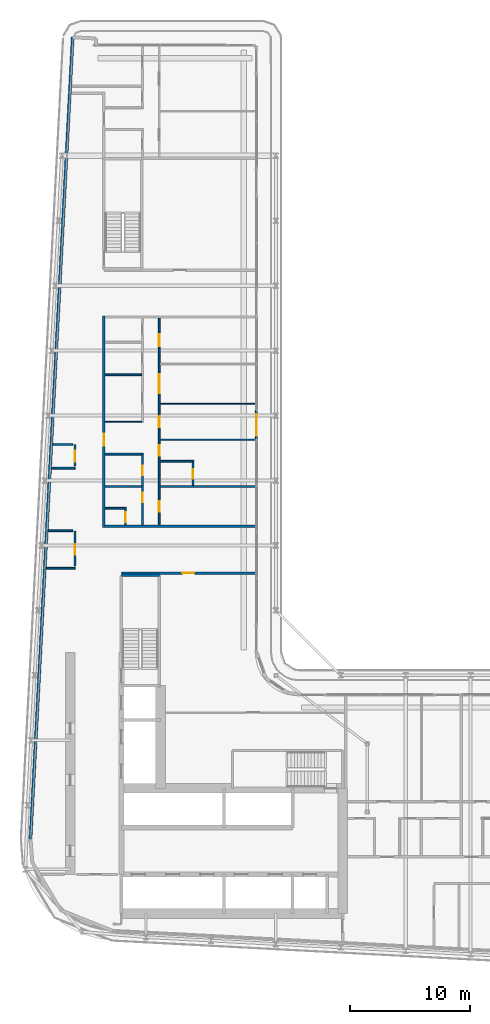
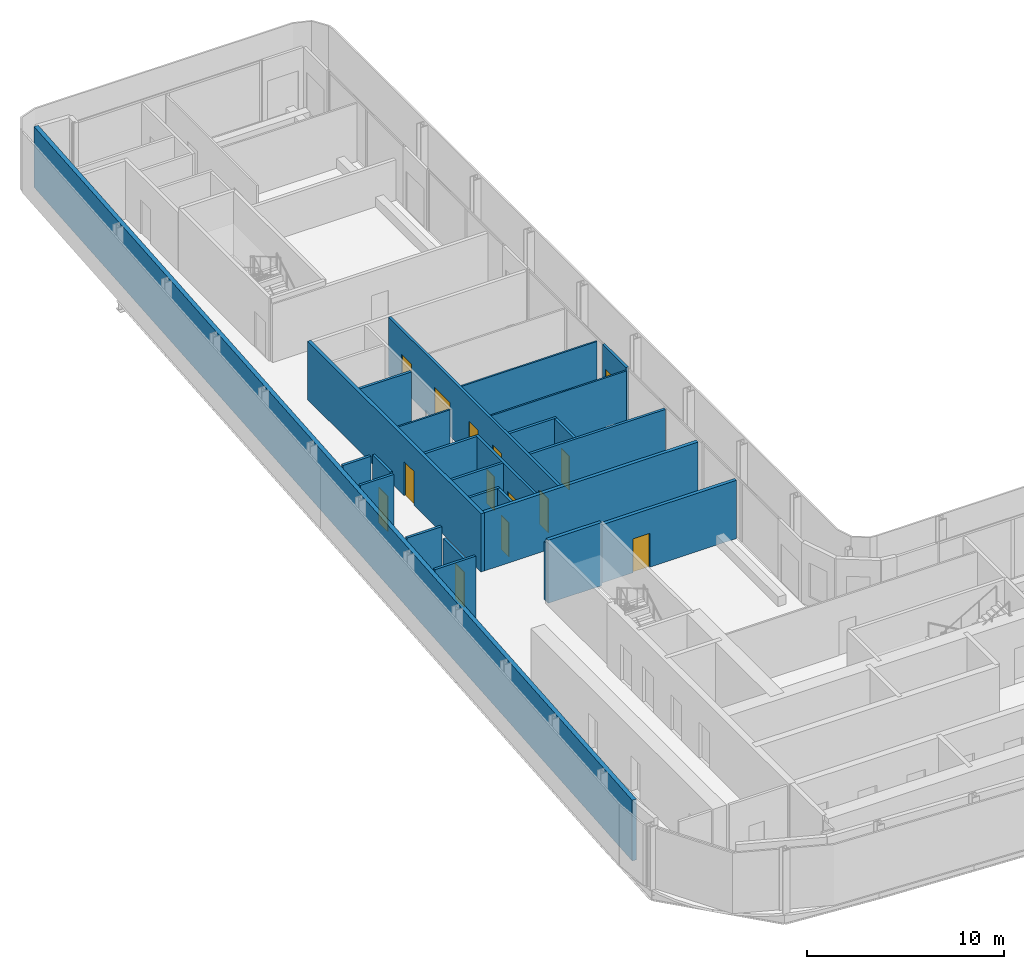
# One storey, part 18 of 29: 25 walls, 14 doors, 14 openings.
"""IFC4 building model written with IfcOpenShell, lengths in metres."""

import ifcopenshell
import ifcopenshell.guid

model = None  # the IFC model being written
_history = None  # IfcOwnerHistory: only IFC2X3 demands one
_inside = {}  # id of a spatial element -> (the spatial element, [elements in it])
_under = {}  # id of a project, library or spatial element -> (it, [spatial elements below it])
_declared = {}  # id of a project -> (the project, [libraries it declares])
_typed = {}  # id of a type object -> (the type object, [elements of that type])
_made_of = {}  # id of a material, layer set ... -> (it, [elements and type objects made of it])


def new_model(schema):
    """Start an empty IFC model of exactly this schema.

    Asked for "IFC4X3", IfcOpenShell would pick the latest addendum, in which some entities
    have other attributes; the version numbers below select the first issue.
    IFC2X3 requires an IfcOwnerHistory on every rooted entity: one is made here for all.
    """
    global model, _history
    if schema == "IFC4X3":
        model = ifcopenshell.file(schema_version=(4, 3, 0, 0))
    else:
        model = ifcopenshell.file(schema=schema)
    _inside.clear()
    _under.clear()
    _declared.clear()
    _typed.clear()
    _made_of.clear()
    _history = None
    if model.schema == "IFC2X3":
        org = make("IfcOrganization", Name="unknown")
        user = make(
            "IfcPersonAndOrganization",
            ThePerson=make("IfcPerson", FamilyName="unknown"),
            TheOrganization=org,
        )
        app = make(
            "IfcApplication",
            ApplicationDeveloper=org,
            Version="unknown",
            ApplicationFullName="unknown",
            ApplicationIdentifier="unknown",
        )
        _history = make(
            "IfcOwnerHistory",
            OwningUser=user,
            OwningApplication=app,
            ChangeAction="ADDED",
            CreationDate=0,
        )
    return model


def make(cls, **values):
    """One entity of the class cls with the attributes given. An attribute that is None is left unset."""
    return model.create_entity(
        cls, **{name: value for name, value in values.items() if value is not None}
    )


def rooted(cls, **values):
    """An entity with a GlobalId (a new one), such as an element, a storey or a relation."""
    return make(cls, GlobalId=ifcopenshell.guid.new(), OwnerHistory=_history, **values)


def si_unit(unit_type, name, prefix=None):
    """IfcSIUnit, for example si_unit("LENGTHUNIT", "METRE", prefix="MILLI")."""
    return make("IfcSIUnit", UnitType=unit_type, Prefix=prefix, Name=name)


def assignment(units):
    """IfcUnitAssignment: the units of a project."""
    return None if units is None else make("IfcUnitAssignment", Units=units)


def point(xyz):
    """IfcCartesianPoint."""
    return None if xyz is None else make("IfcCartesianPoint", Coordinates=xyz)


def direction(xyz):
    """IfcDirection."""
    return None if xyz is None else make("IfcDirection", DirectionRatios=xyz)


def frame(location, z_axis=None, x_axis=None):
    """IfcAxis2Placement3D, a coordinate frame: its origin and axes. An axis left out is left unset."""
    return make(
        "IfcAxis2Placement3D",
        Location=point(location),
        Axis=direction(z_axis),
        RefDirection=direction(x_axis),
    )


def frame_2d(location, x_axis=None):
    """IfcAxis2Placement2D, a coordinate frame in the plane: its origin and x axis."""
    return make(
        "IfcAxis2Placement2D", Location=point(location), RefDirection=direction(x_axis)
    )


def origin():
    """The frame at (0, 0, 0) with its axes left unset."""
    return frame((0.0, 0.0, 0.0))


def place(relative_to, where):
    """IfcLocalPlacement: puts the frame where relative to a parent placement (None: the world)."""
    return make(
        "IfcLocalPlacement", PlacementRelTo=relative_to, RelativePlacement=where
    )


def context(
    kind, dimensions, precision=None, world=None, true_north=None, identifier=None
):
    """IfcGeometricRepresentationContext, for example the 3D "Model" context."""
    return make(
        "IfcGeometricRepresentationContext",
        ContextIdentifier=identifier,
        ContextType=kind,
        CoordinateSpaceDimension=dimensions,
        Precision=precision,
        WorldCoordinateSystem=world,
        TrueNorth=true_north,
    )


def subcontext(parent, identifier, kind, view, scale=None):
    """IfcGeometricRepresentationSubContext, for example "Body" below "Model"."""
    return make(
        "IfcGeometricRepresentationSubContext",
        ContextIdentifier=identifier,
        ContextType=kind,
        ParentContext=parent,
        TargetScale=scale,
        TargetView=view,
    )


def project(units=None, contexts=None):
    """IfcProject with its units and contexts."""
    return rooted(
        "IfcProject",
        Name="project",
        RepresentationContexts=contexts,
        UnitsInContext=assignment(units),
    )


def spatial(cls, under=None, at=None, **own):
    """A site, building, storey or space (cls), placed at a placement, below another one or the project."""
    s = rooted(cls, ObjectPlacement=at, **own)
    if under is not None:
        _under.setdefault(under.id(), (under, []))[1].append(s)
    return s


def profile(cls, at=None, kind="AREA", **sizes):
    """A parametric profile (cls). Its sizes go by their IFC names, for example OverallWidth=200.0."""
    return make(cls, ProfileType=kind, Position=at, **sizes)


def rectangle(**sizes):
    """IfcRectangleProfileDef."""
    return profile("IfcRectangleProfileDef", **sizes)


def extrude(swept, where, along, depth):
    """IfcExtrudedAreaSolid: the profile swept, set in the frame where, extruded along a direction by depth."""
    return make(
        "IfcExtrudedAreaSolid",
        SweptArea=swept,
        Position=where,
        ExtrudedDirection=direction(along),
        Depth=depth,
    )


def shape(context_of_items, identifier, shape_type, items):
    """IfcShapeRepresentation: the items that make up one representation, for example the "Body"."""
    return make(
        "IfcShapeRepresentation",
        ContextOfItems=context_of_items,
        RepresentationIdentifier=identifier,
        RepresentationType=shape_type,
        Items=items,
    )


def source(mapping_origin, context_of_items, identifier, shape_type, items):
    """IfcRepresentationMap: a shape defined once, which mapped items show again and again."""
    return make(
        "IfcRepresentationMap",
        MappingOrigin=mapping_origin,
        MappedRepresentation=shape(context_of_items, identifier, shape_type, items),
    )


def transform(
    local_origin,
    x_axis=None,
    y_axis=None,
    z_axis=None,
    scale=None,
    scale2=None,
    scale3=None,
    uniform=True,
):
    """IfcCartesianTransformationOperator3D, or its non-uniform kind. x_axis, y_axis, z_axis: its Axis1, 2, 3."""
    if uniform:
        return make(
            "IfcCartesianTransformationOperator3D",
            Axis1=direction(x_axis),
            Axis2=direction(y_axis),
            LocalOrigin=point(local_origin),
            Scale=scale,
            Axis3=direction(z_axis),
        )
    return make(
        "IfcCartesianTransformationOperator3DnonUniform",
        Axis1=direction(x_axis),
        Axis2=direction(y_axis),
        LocalOrigin=point(local_origin),
        Scale=scale,
        Axis3=direction(z_axis),
        Scale2=scale2,
        Scale3=scale3,
    )


def mapped(mapping_source, mapping_target):
    """IfcMappedItem: shows the shape of a source again, moved by a transform."""
    return make(
        "IfcMappedItem", MappingSource=mapping_source, MappingTarget=mapping_target
    )


def material(Name=None, Category=None):
    """IfcMaterial."""
    return make("IfcMaterial", Name=Name, Category=Category)


def layer(
    of_material, thickness, ventilated=None, Name=None, Category=None, Priority=None
):
    """IfcMaterialLayer: one layer of a wall or slab, of a material (None: an air gap)."""
    return make(
        "IfcMaterialLayer",
        Material=of_material,
        LayerThickness=thickness,
        IsVentilated=ventilated,
        Name=Name,
        Category=Category,
        Priority=Priority,
    )


def layer_set(layers, Name=None):
    """IfcMaterialLayerSet."""
    return make("IfcMaterialLayerSet", MaterialLayers=layers, LayerSetName=Name)


def made_of(thing, what):
    """Note that an element or type object is made of a material, layer set ...; save() writes the relation."""
    if what is not None:
        _made_of.setdefault(what.id(), (what, []))[1].append(thing)
    return thing


def type_object(cls, material=None, **own):
    """A type object (cls), such as IfcWallType, which elements share."""
    return made_of(rooted(cls, **own), material)


def element(
    cls,
    number,
    at=None,
    inside=None,
    cuts=None,
    type_object=None,
    material=None,
    context=None,
    identifier="Body",
    shape_type=None,
    held_by="IfcProductDefinitionShape",
    body=None,
    shapes=None,
    **own,
):
    """One element of the class cls, such as IfcWall. Its Tag is "e" and its number.

    at: its placement. inside: the storey or other place that contains it. cuts: it is an
    opening in that element (IfcRelVoidsElement). A single representation is given by context,
    identifier, shape_type and body (its items); several are given by shapes. held_by: the class
    of the entity that holds the representations. save() writes the other relations.
    """
    e = rooted(cls, Tag="e%d" % number, ObjectPlacement=at, **own)
    if body is not None:
        shapes = [shape(context, identifier, shape_type, body)]
    if shapes is not None:
        e.Representation = make(held_by, Representations=shapes)
    if inside is not None:
        _inside.setdefault(inside.id(), (inside, []))[1].append(e)
    if cuts is not None:
        rooted(
            "IfcRelVoidsElement", RelatingBuildingElement=cuts, RelatedOpeningElement=e
        )
    if type_object is not None:
        _typed.setdefault(type_object.id(), (type_object, []))[1].append(e)
    return made_of(e, material)


def fill(opening, filler):
    """IfcRelFillsElement: the door or window that sits in an opening."""
    return rooted(
        "IfcRelFillsElement",
        RelatingOpeningElement=opening,
        RelatedBuildingElement=filler,
    )


def aggregate(whole, parts):
    """IfcRelAggregates: a whole, such as a stair, and the parts it consists of."""
    return rooted("IfcRelAggregates", RelatingObject=whole, RelatedObjects=parts)


def save(model, path):
    """Write the relations noted so far, then the file.

    IfcRelAggregates (storeys below a building ...), IfcRelContainedInSpatialStructure (elements
    in a storey), IfcRelDefinesByType, IfcRelAssociatesMaterial and IfcRelDeclares: one each for
    every whole, place, type object, material and project.
    """
    for whole, parts in _under.values():
        aggregate(whole, parts)
    for where, things in _inside.values():
        rooted(
            "IfcRelContainedInSpatialStructure",
            RelatedElements=things,
            RelatingStructure=where,
        )
    for kind, things in _typed.values():
        rooted("IfcRelDefinesByType", RelatedObjects=things, RelatingType=kind)
    for what, things in _made_of.values():
        rooted("IfcRelAssociatesMaterial", RelatedObjects=things, RelatingMaterial=what)
    for by, libraries in _declared.values():
        rooted("IfcRelDeclares", RelatingContext=by, RelatedDefinitions=libraries)
    model.write(path)


model = new_model("IFC4")

# Units and contexts
model_context = context("Model", 3, precision=1e-05, world=origin(), true_north=direction((0.0, 1.0)))
body_context = subcontext(model_context, "Body", "Model", "MODEL_VIEW")
ifc_project = project(units=[si_unit("LENGTHUNIT", "METRE"), si_unit("AREAUNIT", "SQUARE_METRE"), si_unit("VOLUMEUNIT", "CUBIC_METRE"), si_unit("PLANEANGLEUNIT", "RADIAN"), si_unit("MASSUNIT", "GRAM", prefix="KILO")], contexts=[model_context])

# Site, building, storey
site_placement = place(None, origin())
site = spatial("IfcSite", under=ifc_project, at=site_placement, CompositionType="ELEMENT")
building_placement = place(site_placement, origin())
building = spatial("IfcBuilding", under=site, at=building_placement, Name="Kheshtan School and Residences Tower", CompositionType="ELEMENT")
storey_placement = place(building_placement, frame((0.0, 0.0, 172.10009765625)))
storey = spatial("IfcBuildingStorey", under=building, at=storey_placement, Name="L40", CompositionType="ELEMENT", Elevation=172.10009765625)

# Wall, opening, door
ifc_material_1 = material(Name="Gypsum board on steel studs with fire boards", Category="steel")
ifc_layer_1 = layer(ifc_material_1, 0.199951171875)
ifc_layer_set_1 = layer_set([ifc_layer_1], Name="Corridor wall 200")
wall_type_1 = type_object("IfcWallType", Name="Corridor wall 200", PredefinedType="PARTITIONING", material=ifc_layer_set_1)
wall_1_placement = place(storey_placement, frame((33.300048828125, 57.89990234375, 0.0), z_axis=(0.0, 0.0, 1.0), x_axis=(0.0, 1.0, 0.0)))
wall_1 = element("IfcWall", 1, at=wall_1_placement, inside=storey, type_object=wall_type_1, Name="Partition L40-003", PredefinedType="PARTITIONING", context=body_context, shape_type="SweptSolid", body=[
    extrude(rectangle(XDim=17.60009765625, YDim=0.199951171875, at=frame_2d((8.800048828125, 0.0))), origin(), (0.0, 0.0, 1.0), 3.599853515625),
])
opening_1_placement = place(wall_1_placement, frame((6.800048828125, 0.0, 0.0)))
opening_1 = element("IfcOpeningElement", 2, at=opening_1_placement, cuts=wall_1, Name="Opening D39-035", PredefinedType="OPENING", context=body_context, shape_type="SweptSolid", body=[
    extrude(rectangle(XDim=1.0, YDim=2.10009765625, at=frame_2d((0.5, 1.050048828125))), frame((0.0, 0.10986328125, 0.0), z_axis=(0.0, -1.0, 0.0), x_axis=(1.0, 0.0, 0.0)), (0.0, 0.0, 1.0), 0.219970703125),
])
ifc_material_2 = material(Name="Steel-framed fire-resisting door leaf", Category="steel")
door_type_1 = type_object("IfcDoorType", Name="Fire door FD30S 1000 x 2100", OperationType="SINGLE_SWING_LEFT", PredefinedType="DOOR", material=ifc_material_2)
shared_shape_1 = source(origin(), body_context, "Body", "SweptSolid", [
    extrude(rectangle(XDim=1.0, YDim=2.10009765625, at=frame_2d((0.5, 1.050048828125))), frame((0.0, 0.02490234375, 0.0), z_axis=(0.0, -1.0, 0.0), x_axis=(1.0, 0.0, 0.0)), (0.0, 0.0, 1.0), 0.050048828125),
])
door_1_placement = place(opening_1_placement, origin())
door_1 = element("IfcDoor", 3, at=door_1_placement, inside=storey, type_object=door_type_1, Name="Door D39-035", OperationType="SINGLE_SWING_RIGHT", OverallHeight=2.10009765625, OverallWidth=1.0, PredefinedType="DOOR", context=body_context, shape_type="MappedRepresentation", body=[
    mapped(shared_shape_1, transform((0.0, 0.0, 0.0), x_axis=(1.0, 0.0, 0.0), y_axis=(0.0, 1.0, 0.0), z_axis=(0.0, 0.0, 1.0), scale=1.0)),
])
fill(opening_1, door_1)

# Wall
wall_2_placement = place(storey_placement, frame((33.39990234375, 58.0, 0.0), z_axis=(0.0, 0.0, 1.0), x_axis=(1.0, 0.0, 0.0)))
element("IfcWall", 4, at=wall_2_placement, inside=storey, type_object=wall_type_1, Name="Partition L40-006", PredefinedType="PARTITIONING", context=body_context, shape_type="SweptSolid", body=[
    extrude(rectangle(XDim=12.5, YDim=0.199951171875, at=frame_2d((6.25, 0.0))), origin(), (0.0, 0.0, 1.0), 3.599853515625),
])

# Wall, opening, door
wall_3_placement = place(storey_placement, frame((34.75, 54.10009765625, 0.0), z_axis=(0.0, 0.0, 1.0), x_axis=(1.0, 0.0, 0.0)))
wall_3 = element("IfcWall", 5, at=wall_3_placement, inside=storey, type_object=wall_type_1, Name="Partition L40-018", PredefinedType="PARTITIONING", context=body_context, shape_type="SweptSolid", body=[
    extrude(rectangle(XDim=11.14990234375, YDim=0.199951171875, at=frame_2d((5.574951171875, 0.0))), origin(), (0.0, 0.0, 1.0), 3.599853515625),
])
opening_2_placement = place(wall_3_placement, frame((5.074951171875, 0.0, 0.0)))
opening_2 = element("IfcOpeningElement", 6, at=opening_2_placement, cuts=wall_3, Name="Opening D39-051", PredefinedType="OPENING", context=body_context, shape_type="SweptSolid", body=[
    extrude(rectangle(XDim=1.0, YDim=2.10009765625, at=frame_2d((0.5, 1.050048828125))), frame((0.0, 0.10986328125, 0.0), z_axis=(0.0, -1.0, 0.0), x_axis=(1.0, 0.0, 0.0)), (0.0, 0.0, 1.0), 0.219970703125),
])
door_type_2 = type_object("IfcDoorType", Name="Fire door FD60 1000 x 2100", OperationType="SINGLE_SWING_LEFT", PredefinedType="DOOR", material=ifc_material_2)
shared_shape_2 = source(origin(), body_context, "Body", "SweptSolid", [
    extrude(rectangle(XDim=1.0, YDim=2.10009765625, at=frame_2d((0.5, 1.050048828125))), frame((0.0, 0.02490234375, 0.0), z_axis=(0.0, -1.0, 0.0), x_axis=(1.0, 0.0, 0.0)), (0.0, 0.0, 1.0), 0.050048828125),
])
door_2_placement = place(opening_2_placement, origin())
door_2 = element("IfcDoor", 7, at=door_2_placement, inside=storey, type_object=door_type_2, Name="Door D39-051", OperationType="SINGLE_SWING_RIGHT", OverallHeight=2.10009765625, OverallWidth=1.0, PredefinedType="DOOR", context=body_context, shape_type="MappedRepresentation", body=[
    mapped(shared_shape_2, transform((0.0, 0.0, 0.0), x_axis=(1.0, 0.0, 0.0), y_axis=(0.0, 1.0, 0.0), z_axis=(0.0, 0.0, 1.0), scale=1.0)),
])
fill(opening_2, door_2)

# Wall
ifc_material_3 = material(Name="Concrete C40/50 with ceramic cladding and mineral wool insulation", Category="concrete")
ifc_layer_2 = layer(ifc_material_3, 0.25)
ifc_layer_set_2 = layer_set([ifc_layer_2], Name="External wall 250 ceramic clad")
wall_type_2 = type_object("IfcWallType", Name="External wall 250 ceramic clad", PredefinedType="SOLIDWALL", material=ifc_layer_set_2)
wall_4_placement = place(storey_placement, frame((27.195068359375, 31.968994140625, 0.0), z_axis=(0.0, 0.0, 1.0), x_axis=(0.052554995867, 0.998618031286, 0.0)))
element("IfcWall", 8, at=wall_4_placement, inside=storey, type_object=wall_type_2, Name="External wall L40 4", PredefinedType="SOLIDWALL", context=body_context, shape_type="SweptSolid", body=[
    extrude(rectangle(XDim=66.787353515625, YDim=0.25, at=frame_2d((33.3935546875, 0.0))), origin(), (0.0, 0.0, 1.0), 3.75),
])

# Wall, opening, door
ifc_material_4 = material(Name="Aluminium frame wall with insulated infill", Category="aluminium")
ifc_layer_3 = layer(ifc_material_4, 0.14990234375)
ifc_layer_set_3 = layer_set([ifc_layer_3], Name="Glazing frame wall 150")
wall_type_3 = type_object("IfcWallType", Name="Glazing frame wall 150", PredefinedType="SOLIDWALL", material=ifc_layer_set_3)
wall_5_placement = place(storey_placement, frame((45.97509765625, 67.617919921875, 0.0), z_axis=(0.0, 0.0, 1.0), x_axis=(0.0, -1.0, 0.0)))
wall_5 = element("IfcWall", 9, at=wall_5_placement, inside=storey, type_object=wall_type_3, Name="Balcony door wall L40 8.4", PredefinedType="SOLIDWALL", context=body_context, shape_type="SweptSolid", body=[
    extrude(rectangle(XDim=2.39990234375, YDim=0.14990234375, at=frame_2d((1.199951171875, 0.0))), origin(), (0.0, 0.0, 1.0), 3.75),
])
opening_3_placement = place(wall_5_placement, frame((0.300048828125, 0.0, 0.0)))
opening_3 = element("IfcOpeningElement", 10, at=opening_3_placement, cuts=wall_5, Name="Opening BD", PredefinedType="OPENING", context=body_context, shape_type="SweptSolid", body=[
    extrude(rectangle(XDim=1.800048828125, YDim=2.39990234375, at=frame_2d((0.89990234375, 1.199951171875))), frame((0.0, 0.0849609375, 0.0), z_axis=(0.0, -1.0, 0.0), x_axis=(1.0, 0.0, 0.0)), (0.0, 0.0, 1.0), 0.169921875),
])
ifc_material_5 = material(Name="Clear low-e glass in thermally broken aluminium frame", Category="aluminium")
door_type_3 = type_object("IfcDoorType", Name="Balcony sliding door", OperationType="SLIDING_TO_LEFT", PredefinedType="DOOR", material=ifc_material_5)
shared_shape_3 = source(origin(), body_context, "Body", "SweptSolid", [
    extrude(rectangle(XDim=1.800048828125, YDim=2.39990234375, at=frame_2d((0.89990234375, 1.199951171875))), frame((0.0, 0.02490234375, 0.0), z_axis=(0.0, -1.0, 0.0), x_axis=(1.0, 0.0, 0.0)), (0.0, 0.0, 1.0), 0.050048828125),
])
door_3_placement = place(opening_3_placement, origin())
door_3 = element("IfcDoor", 11, at=door_3_placement, inside=storey, type_object=door_type_3, Name="Balcony door L40 8.4", OperationType="SLIDING_TO_LEFT", OverallHeight=2.39990234375, OverallWidth=1.800048828125, PredefinedType="DOOR", context=body_context, shape_type="MappedRepresentation", body=[
    mapped(shared_shape_3, transform((0.0, 0.0, 0.0), x_axis=(1.0, 0.0, 0.0), y_axis=(0.0, 1.0, 0.0), z_axis=(0.0, 0.0, 1.0), scale=1.0)),
])
fill(opening_3, door_3)

# Walls
ifc_material_6 = material(Name="Gypsum board on steel studs", Category="steel")
ifc_layer_4 = layer(ifc_material_6, 0.10009765625)
ifc_layer_set_4 = layer_set([ifc_layer_4], Name="Gypsum partition 100")
wall_type_4 = type_object("IfcWallType", Name="Gypsum partition 100", PredefinedType="PARTITIONING", material=ifc_layer_set_4)
wall_6_placement = place(storey_placement, frame((33.39990234375, 66.699951171875, 0.0), z_axis=(0.0, 0.0, 1.0), x_axis=(1.0, 0.0, 0.0)))
element("IfcWall", 12, at=wall_6_placement, inside=storey, type_object=wall_type_4, Name="Partition L40-010", PredefinedType="PARTITIONING", context=body_context, shape_type="SweptSolid", body=[
    extrude(rectangle(XDim=3.025146484375, YDim=0.10009765625, at=frame_2d((1.5126953125, 0.0))), origin(), (0.0, 0.0, 1.0), 3.599853515625),
])
for number, where, z_axis, x_axis, name in (
    (13, (37.97509765625, 65.199951171875, 0.0), (0.0, 0.0, 1.0), (1.0, 0.0, 0.0), "Partition L40-030"),
    (14, (37.97509765625, 68.199951171875, 0.0), (0.0, 0.0, 1.0), (1.0, 0.0, 0.0), "Partition L40-031"),
):
    element("IfcWall", number, at=place(storey_placement, frame(where, z_axis=z_axis, x_axis=x_axis)), inside=storey, type_object=wall_type_4, Name=name, PredefinedType="PARTITIONING", context=body_context, shape_type="SweptSolid", body=[
        extrude(rectangle(XDim=7.9248046875, YDim=0.10009765625, at=frame_2d((3.96240234375, 0.0))), origin(), (0.0, 0.0, 1.0), 3.599853515625),
    ])
ifc_material_7 = material(Name="Fire-board shaft wall system")
ifc_layer_5 = layer(ifc_material_7, 0.14990234375)
ifc_layer_set_5 = layer_set([ifc_layer_5], Name="Service room wall 150")
wall_type_5 = type_object("IfcWallType", Name="Service room wall 150", PredefinedType="PARTITIONING", material=ifc_layer_set_5)
wall_7_placement = place(storey_placement, frame((28.508056640625, 54.5, 0.0), z_axis=(0.0, 0.0, 1.0), x_axis=(1.0, 0.0, 0.0)))
element("IfcWall", 15, at=wall_7_placement, inside=storey, type_object=wall_type_5, Name="Service room wall", PredefinedType="PARTITIONING", context=body_context, shape_type="SweptSolid", body=[
    extrude(rectangle(XDim=2.391845703125, YDim=0.14990234375, at=frame_2d((1.19580078125, 0.0))), origin(), (0.0, 0.0, 1.0), 3.89990234375),
])

# Wall, opening, door
wall_8_placement = place(storey_placement, frame((30.89990234375, 54.695068359375, 0.0), z_axis=(0.0, 0.0, 1.0), x_axis=(0.0, 1.0, 0.0)))
wall_8 = element("IfcWall", 16, at=wall_8_placement, inside=storey, type_object=wall_type_5, Name="Service room wall", PredefinedType="PARTITIONING", context=body_context, shape_type="SweptSolid", body=[
    extrude(rectangle(XDim=2.930908203125, YDim=0.14990234375, at=frame_2d((1.46533203125, 0.0))), origin(), (0.0, 0.0, 1.0), 3.072021484375),
])
opening_4_placement = place(wall_8_placement, frame((0.91796875, 0.0, 0.0)))
opening_4 = element("IfcOpeningElement", 17, at=opening_4_placement, cuts=wall_8, Name="Opening SR90", PredefinedType="OPENING", context=body_context, shape_type="SweptSolid", body=[
    extrude(rectangle(XDim=0.89990234375, YDim=2.199951171875, at=frame_2d((0.449951171875, 1.10009765625))), frame((0.0, 0.0849609375, 0.0), z_axis=(0.0, -1.0, 0.0), x_axis=(1.0, 0.0, 0.0)), (0.0, 0.0, 1.0), 0.169921875),
])
ifc_material_8 = material(Name="Steel door leaf, galvanised", Category="steel")
door_type_4 = type_object("IfcDoorType", Name="Service room door 900 steel 90 min", OperationType="SINGLE_SWING_LEFT", PredefinedType="DOOR", material=ifc_material_8)
shared_shape_4 = source(origin(), body_context, "Body", "SweptSolid", [
    extrude(rectangle(XDim=0.89990234375, YDim=2.199951171875, at=frame_2d((0.449951171875, 1.10009765625))), frame((0.0, 0.02490234375, 0.0), z_axis=(0.0, -1.0, 0.0), x_axis=(1.0, 0.0, 0.0)), (0.0, 0.0, 1.0), 0.050048828125),
])
door_4_placement = place(opening_4_placement, origin())
door_4 = element("IfcDoor", 18, at=door_4_placement, inside=storey, type_object=door_type_4, Name="Service room door", OperationType="SINGLE_SWING_LEFT", OverallHeight=2.199951171875, OverallWidth=0.89990234375, PredefinedType="DOOR", context=body_context, shape_type="MappedRepresentation", body=[
    mapped(shared_shape_4, transform((0.0, 0.0, 0.0), x_axis=(1.0, 0.0, 0.0), y_axis=(0.0, 1.0, 0.0), z_axis=(0.0, 0.0, 1.0), scale=1.0)),
])
fill(opening_4, door_4)

# Walls
wall_9_placement = place(storey_placement, frame((28.673095703125, 57.6259765625, 0.0), z_axis=(0.0, 0.0, 1.0), x_axis=(1.0, 0.0, 0.0)))
element("IfcWall", 19, at=wall_9_placement, inside=storey, type_object=wall_type_5, Name="Service room wall", PredefinedType="PARTITIONING", context=body_context, shape_type="SweptSolid", body=[
    extrude(rectangle(XDim=2.031982421875, YDim=0.14990234375, at=frame_2d((1.01611328125, 0.0))), origin(), (0.0, 0.0, 1.0), 3.89990234375),
])
wall_10_placement = place(storey_placement, frame((28.947021484375, 62.8330078125, 0.0), z_axis=(0.0, 0.0, 1.0), x_axis=(1.0, 0.0, 0.0)))
element("IfcWall", 20, at=wall_10_placement, inside=storey, type_object=wall_type_5, Name="Service room wall", PredefinedType="PARTITIONING", context=body_context, shape_type="SweptSolid", body=[
    extrude(rectangle(XDim=1.952880859375, YDim=0.14990234375, at=frame_2d((0.9765625, 0.0))), origin(), (0.0, 0.0, 1.0), 3.89990234375),
])

# Wall, opening, door
wall_11_placement = place(storey_placement, frame((30.89990234375, 63.028076171875, 0.0), z_axis=(0.0, 0.0, 1.0), x_axis=(0.0, 1.0, 0.0)))
wall_11 = element("IfcWall", 21, at=wall_11_placement, inside=storey, type_object=wall_type_5, Name="Service room wall", PredefinedType="PARTITIONING", context=body_context, shape_type="SweptSolid", body=[
    extrude(rectangle(XDim=1.77197265625, YDim=0.14990234375, at=frame_2d((0.885986328125, 0.0))), origin(), (0.0, 0.0, 1.0), 3.89990234375),
])
opening_5_placement = place(wall_11_placement, frame((0.337890625, 0.0, 0.0)))
opening_5 = element("IfcOpeningElement", 22, at=opening_5_placement, cuts=wall_11, Name="Opening SR90", PredefinedType="OPENING", context=body_context, shape_type="SweptSolid", body=[
    extrude(rectangle(XDim=0.89990234375, YDim=2.199951171875, at=frame_2d((0.449951171875, 1.10009765625))), frame((0.0, 0.0849609375, 0.0), z_axis=(0.0, -1.0, 0.0), x_axis=(1.0, 0.0, 0.0)), (0.0, 0.0, 1.0), 0.169921875),
])
door_5_placement = place(opening_5_placement, origin())
door_5 = element("IfcDoor", 23, at=door_5_placement, inside=storey, type_object=door_type_4, Name="Service room door", OperationType="SINGLE_SWING_LEFT", OverallHeight=2.199951171875, OverallWidth=0.89990234375, PredefinedType="DOOR", context=body_context, shape_type="MappedRepresentation", body=[
    mapped(shared_shape_4, transform((0.0, 0.0, 0.0), x_axis=(1.0, 0.0, 0.0), y_axis=(0.0, 1.0, 0.0), z_axis=(0.0, 0.0, 1.0), scale=1.0)),
])
fill(opening_5, door_5)

# Walls
wall_12_placement = place(storey_placement, frame((29.050048828125, 64.800048828125, 0.0), z_axis=(0.0, 0.0, 1.0), x_axis=(1.0, 0.0, 0.0)))
element("IfcWall", 24, at=wall_12_placement, inside=storey, type_object=wall_type_5, Name="Service room wall", PredefinedType="PARTITIONING", context=body_context, shape_type="SweptSolid", body=[
    extrude(rectangle(XDim=1.655029296875, YDim=0.14990234375, at=frame_2d((0.82763671875, 0.0))), origin(), (0.0, 0.0, 1.0), 3.89990234375),
])
ifc_material_9 = material(Name="Concrete C40/50", Category="concrete")
ifc_layer_6 = layer(ifc_material_9, 0.199951171875)
ifc_layer_set_6 = layer_set([ifc_layer_6], Name="Stair enclosure wall 200 Concrete C40/50")
wall_type_6 = type_object("IfcWallType", Name="Stair enclosure wall 200 Concrete C40/50", PredefinedType="SHEAR", material=ifc_layer_set_6)
wall_13_placement = place(storey_placement, frame((34.75, 53.909912109375, 0.0), z_axis=(0.0, 0.0, 1.0), x_axis=(1.0, 0.0, 0.0)))
element("IfcWall", 25, at=wall_13_placement, inside=storey, type_object=wall_type_6, Name="Stair enclosure wall ST2", PredefinedType="SHEAR", context=body_context, shape_type="SweptSolid", body=[
    extrude(rectangle(XDim=3.14990234375, YDim=0.199951171875, at=frame_2d((1.574951171875, 0.0))), origin(), (0.0, 0.0, 1.0), 3.89990234375),
])
ifc_material_10 = material(Name="Moisture-resistant gypsum board on steel studs", Category="steel")
ifc_layer_7 = layer(ifc_material_10, 0.14990234375)
ifc_layer_set_7 = layer_set([ifc_layer_7], Name="Wet-room partition 150")
wall_type_7 = type_object("IfcWallType", Name="Wet-room partition 150", PredefinedType="PARTITIONING", material=ifc_layer_set_7)
wall_14_placement = place(storey_placement, frame((33.39990234375, 59.5, 0.0), z_axis=(0.0, 0.0, 1.0), x_axis=(1.0, 0.0, 0.0)))
element("IfcWall", 26, at=wall_14_placement, inside=storey, type_object=wall_type_7, Name="Partition L40-007", PredefinedType="PARTITIONING", context=body_context, shape_type="SweptSolid", body=[
    extrude(rectangle(XDim=1.775146484375, YDim=0.14990234375, at=frame_2d((0.8876953125, 0.0))), origin(), (0.0, 0.0, 1.0), 3.599853515625),
])
for number, where, z_axis, x_axis, name in (
    (27, (33.39990234375, 61.300048828125, 0.0), (0.0, 0.0, 1.0), (1.0, 0.0, 0.0), "Partition L40-008"),
    (28, (33.39990234375, 64.0, 0.0), (0.0, 0.0, 1.0), (1.0, 0.0, 0.0), "Partition L40-009"),
    (29, (33.39990234375, 70.60009765625, 0.0), (0.0, 0.0, 1.0), (1.0, 0.0, 0.0), "Partition L40-011"),
):
    element("IfcWall", number, at=place(storey_placement, frame(where, z_axis=z_axis, x_axis=x_axis)), inside=storey, type_object=wall_type_7, Name=name, PredefinedType="PARTITIONING", context=body_context, shape_type="SweptSolid", body=[
        extrude(rectangle(XDim=3.025146484375, YDim=0.14990234375, at=frame_2d((1.5126953125, 0.0))), origin(), (0.0, 0.0, 1.0), 3.599853515625),
    ])

# Wall, opening, door
wall_15_placement = place(storey_placement, frame((35.10009765625, 58.10009765625, 0.0), z_axis=(0.0, 0.0, 1.0), x_axis=(0.0, 1.0, 0.0)))
wall_15 = element("IfcWall", 30, at=wall_15_placement, inside=storey, type_object=wall_type_7, Name="Partition L40-019", PredefinedType="PARTITIONING", context=body_context, shape_type="SweptSolid", body=[
    extrude(rectangle(XDim=1.324951171875, YDim=0.14990234375, at=frame_2d((0.66259765625, 0.0))), origin(), (0.0, 0.0, 1.0), 3.599853515625),
])
opening_6_placement = place(wall_15_placement, frame((0.25, 0.0, 0.0)))
opening_6 = element("IfcOpeningElement", 31, at=opening_6_placement, cuts=wall_15, Name="Opening D39-039", PredefinedType="OPENING", context=body_context, shape_type="SweptSolid", body=[
    extrude(rectangle(XDim=0.800048828125, YDim=2.10009765625, at=frame_2d((0.39990234375, 1.050048828125))), frame((0.0, 0.0849609375, 0.0), z_axis=(0.0, -1.0, 0.0), x_axis=(1.0, 0.0, 0.0)), (0.0, 0.0, 1.0), 0.169921875),
])
ifc_material_11 = material(Name="Veneered timber door leaf", Category="wood")
door_type_5 = type_object("IfcDoorType", Name="Door 800 x 2100", OperationType="SINGLE_SWING_LEFT", PredefinedType="DOOR", material=ifc_material_11)
shared_shape_5 = source(origin(), body_context, "Body", "SweptSolid", [
    extrude(rectangle(XDim=0.800048828125, YDim=2.10009765625, at=frame_2d((0.39990234375, 1.050048828125))), frame((0.0, 0.02490234375, 0.0), z_axis=(0.0, -1.0, 0.0), x_axis=(1.0, 0.0, 0.0)), (0.0, 0.0, 1.0), 0.050048828125),
])
door_6_placement = place(opening_6_placement, origin())
door_6 = element("IfcDoor", 32, at=door_6_placement, inside=storey, type_object=door_type_5, Name="Door D39-039", OperationType="SINGLE_SWING_RIGHT", OverallHeight=2.10009765625, OverallWidth=0.800048828125, PredefinedType="DOOR", context=body_context, shape_type="MappedRepresentation", body=[
    mapped(shared_shape_5, transform((0.0, 0.0, 0.0), x_axis=(1.0, 0.0, 0.0), y_axis=(0.0, 1.0, 0.0), z_axis=(0.0, 0.0, 1.0), scale=1.0)),
])
fill(opening_6, door_6)

# Wall, openings, doors
wall_16_placement = place(storey_placement, frame((36.5, 58.10009765625, 0.0), z_axis=(0.0, 0.0, 1.0), x_axis=(0.0, 1.0, 0.0)))
wall_16 = element("IfcWall", 33, at=wall_16_placement, inside=storey, type_object=wall_type_7, Name="Partition L40-021", PredefinedType="PARTITIONING", context=body_context, shape_type="SweptSolid", body=[
    extrude(rectangle(XDim=5.974853515625, YDim=0.14990234375, at=frame_2d((2.9873046875, 0.0))), origin(), (0.0, 0.0, 1.0), 3.599853515625),
])
opening_7_placement = place(wall_16_placement, frame((4.14990234375, 0.0, 0.0)))
opening_7 = element("IfcOpeningElement", 34, at=opening_7_placement, cuts=wall_16, Name="Opening D39-030", PredefinedType="OPENING", context=body_context, shape_type="SweptSolid", body=[
    extrude(rectangle(XDim=0.800048828125, YDim=2.10009765625, at=frame_2d((0.39990234375, 1.050048828125))), frame((0.0, 0.0849609375, 0.0), z_axis=(0.0, -1.0, 0.0), x_axis=(1.0, 0.0, 0.0)), (0.0, 0.0, 1.0), 0.169921875),
])
opening_8_placement = place(wall_16_placement, frame((1.89990234375, 0.0, 0.0)))
opening_8 = element("IfcOpeningElement", 35, at=opening_8_placement, cuts=wall_16, Name="Opening D39-038", PredefinedType="OPENING", context=body_context, shape_type="SweptSolid", body=[
    extrude(rectangle(XDim=0.800048828125, YDim=2.10009765625, at=frame_2d((0.39990234375, 1.050048828125))), frame((0.0, 0.0849609375, 0.0), z_axis=(0.0, -1.0, 0.0), x_axis=(1.0, 0.0, 0.0)), (0.0, 0.0, 1.0), 0.169921875),
])
door_7_placement = place(opening_7_placement, origin())
door_7 = element("IfcDoor", 36, at=door_7_placement, inside=storey, type_object=door_type_5, Name="Door D39-030", OperationType="SINGLE_SWING_RIGHT", OverallHeight=2.10009765625, OverallWidth=0.800048828125, PredefinedType="DOOR", context=body_context, shape_type="MappedRepresentation", body=[
    mapped(shared_shape_5, transform((0.0, 0.0, 0.0), x_axis=(1.0, 0.0, 0.0), y_axis=(0.0, 1.0, 0.0), z_axis=(0.0, 0.0, 1.0), scale=1.0)),
])
fill(opening_7, door_7)
door_8_placement = place(opening_8_placement, origin())
door_8 = element("IfcDoor", 37, at=door_8_placement, inside=storey, type_object=door_type_5, Name="Door D39-038", OperationType="SINGLE_SWING_RIGHT", OverallHeight=2.10009765625, OverallWidth=0.800048828125, PredefinedType="DOOR", context=body_context, shape_type="MappedRepresentation", body=[
    mapped(shared_shape_5, transform((0.0, 0.0, 0.0), x_axis=(1.0, 0.0, 0.0), y_axis=(0.0, 1.0, 0.0), z_axis=(0.0, 0.0, 1.0), scale=1.0)),
])
fill(opening_8, door_8)

wall_17_placement = place(storey_placement, frame((37.89990234375, 58.10009765625, 0.0), z_axis=(0.0, 0.0, 1.0), x_axis=(0.0, 1.0, 0.0)))
wall_17 = element("IfcWall", 38, at=wall_17_placement, inside=storey, type_object=wall_type_7, Name="Partition L40-025", PredefinedType="PARTITIONING", context=body_context, shape_type="SweptSolid", body=[
    extrude(rectangle(XDim=17.199951171875, YDim=0.14990234375, at=frame_2d((8.60009765625, 0.0))), origin(), (0.0, 0.0, 1.0), 3.599853515625),
])
opening_9_placement = place(wall_17_placement, frame((1.10009765625, 0.0, 0.0)))
opening_9 = element("IfcOpeningElement", 39, at=opening_9_placement, cuts=wall_17, Name="Opening D39-032", PredefinedType="OPENING", context=body_context, shape_type="SweptSolid", body=[
    extrude(rectangle(XDim=0.89990234375, YDim=2.10009765625, at=frame_2d((0.449951171875, 1.050048828125))), frame((0.0, 0.0849609375, 0.0), z_axis=(0.0, -1.0, 0.0), x_axis=(1.0, 0.0, 0.0)), (0.0, 0.0, 1.0), 0.169921875),
])
opening_10_placement = place(wall_17_placement, frame((8.14990234375, 0.0, 0.0)))
opening_10 = element("IfcOpeningElement", 40, at=opening_10_placement, cuts=wall_17, Name="Opening D39-033", PredefinedType="OPENING", context=body_context, shape_type="SweptSolid", body=[
    extrude(rectangle(XDim=0.89990234375, YDim=2.10009765625, at=frame_2d((0.449951171875, 1.050048828125))), frame((0.0, 0.0849609375, 0.0), z_axis=(0.0, -1.0, 0.0), x_axis=(1.0, 0.0, 0.0)), (0.0, 0.0, 1.0), 0.169921875),
])
opening_11_placement = place(wall_17_placement, frame((14.85009765625, 0.0, 0.0)))
opening_11 = element("IfcOpeningElement", 41, at=opening_11_placement, cuts=wall_17, Name="Opening D39-037", PredefinedType="OPENING", context=body_context, shape_type="SweptSolid", body=[
    extrude(rectangle(XDim=1.0, YDim=2.10009765625, at=frame_2d((0.5, 1.050048828125))), frame((0.0, 0.0849609375, 0.0), z_axis=(0.0, -1.0, 0.0), x_axis=(1.0, 0.0, 0.0)), (0.0, 0.0, 1.0), 0.169921875),
])
opening_12_placement = place(wall_17_placement, frame((10.949951171875, 0.0, 0.0)))
opening_12 = element("IfcOpeningElement", 42, at=opening_12_placement, cuts=wall_17, Name="Opening D39-040", PredefinedType="OPENING", context=body_context, shape_type="SweptSolid", body=[
    extrude(rectangle(XDim=1.60009765625, YDim=2.10009765625, at=frame_2d((0.800048828125, 1.050048828125))), frame((0.0, 0.0849609375, 0.0), z_axis=(0.0, -1.0, 0.0), x_axis=(1.0, 0.0, 0.0)), (0.0, 0.0, 1.0), 0.169921875),
])
opening_13_placement = place(wall_17_placement, frame((5.75, 0.0, 0.0)))
opening_13 = element("IfcOpeningElement", 43, at=opening_13_placement, cuts=wall_17, Name="Opening D39-041", PredefinedType="OPENING", context=body_context, shape_type="SweptSolid", body=[
    extrude(rectangle(XDim=0.89990234375, YDim=2.10009765625, at=frame_2d((0.449951171875, 1.050048828125))), frame((0.0, 0.0849609375, 0.0), z_axis=(0.0, -1.0, 0.0), x_axis=(1.0, 0.0, 0.0)), (0.0, 0.0, 1.0), 0.169921875),
])
door_type_6 = type_object("IfcDoorType", Name="Door 1000 x 2100", OperationType="SINGLE_SWING_LEFT", PredefinedType="DOOR", material=ifc_material_11)
shared_shape_6 = source(origin(), body_context, "Body", "SweptSolid", [
    extrude(rectangle(XDim=1.0, YDim=2.10009765625, at=frame_2d((0.5, 1.050048828125))), frame((0.0, 0.02490234375, 0.0), z_axis=(0.0, -1.0, 0.0), x_axis=(1.0, 0.0, 0.0)), (0.0, 0.0, 1.0), 0.050048828125),
])
door_9_placement = place(opening_11_placement, origin())
door_9 = element("IfcDoor", 44, at=door_9_placement, inside=storey, type_object=door_type_6, Name="Door D39-037", OperationType="SINGLE_SWING_LEFT", OverallHeight=2.10009765625, OverallWidth=1.0, PredefinedType="DOOR", context=body_context, shape_type="MappedRepresentation", body=[
    mapped(shared_shape_6, transform((0.0, 0.0, 0.0), x_axis=(1.0, 0.0, 0.0), y_axis=(0.0, 1.0, 0.0), z_axis=(0.0, 0.0, 1.0), scale=1.0)),
])
fill(opening_11, door_9)
door_type_7 = type_object("IfcDoorType", Name="Door 900 x 2100", OperationType="SINGLE_SWING_LEFT", PredefinedType="DOOR", material=ifc_material_11)
shared_shape_7 = source(origin(), body_context, "Body", "SweptSolid", [
    extrude(rectangle(XDim=0.89990234375, YDim=2.10009765625, at=frame_2d((0.449951171875, 1.050048828125))), frame((0.0, 0.02490234375, 0.0), z_axis=(0.0, -1.0, 0.0), x_axis=(1.0, 0.0, 0.0)), (0.0, 0.0, 1.0), 0.050048828125),
])
door_10_placement = place(opening_9_placement, origin())
door_10 = element("IfcDoor", 45, at=door_10_placement, inside=storey, type_object=door_type_7, Name="Door D39-032", OperationType="SINGLE_SWING_RIGHT", OverallHeight=2.10009765625, OverallWidth=0.89990234375, PredefinedType="DOOR", context=body_context, shape_type="MappedRepresentation", body=[
    mapped(shared_shape_7, transform((0.0, 0.0, 0.0), x_axis=(1.0, 0.0, 0.0), y_axis=(0.0, 1.0, 0.0), z_axis=(0.0, 0.0, 1.0), scale=1.0)),
])
fill(opening_9, door_10)
door_11_placement = place(opening_10_placement, origin())
door_11 = element("IfcDoor", 46, at=door_11_placement, inside=storey, type_object=door_type_7, Name="Door D39-033", OperationType="SINGLE_SWING_LEFT", OverallHeight=2.10009765625, OverallWidth=0.89990234375, PredefinedType="DOOR", context=body_context, shape_type="MappedRepresentation", body=[
    mapped(shared_shape_7, transform((0.0, 0.0, 0.0), x_axis=(1.0, 0.0, 0.0), y_axis=(0.0, 1.0, 0.0), z_axis=(0.0, 0.0, 1.0), scale=1.0)),
])
fill(opening_10, door_11)
door_12_placement = place(opening_13_placement, origin())
door_12 = element("IfcDoor", 47, at=door_12_placement, inside=storey, type_object=door_type_7, Name="Door D39-041", OperationType="SINGLE_SWING_LEFT", OverallHeight=2.10009765625, OverallWidth=0.89990234375, PredefinedType="DOOR", context=body_context, shape_type="MappedRepresentation", body=[
    mapped(shared_shape_7, transform((0.0, 0.0, 0.0), x_axis=(1.0, 0.0, 0.0), y_axis=(0.0, 1.0, 0.0), z_axis=(0.0, 0.0, 1.0), scale=1.0)),
])
fill(opening_13, door_12)
door_type_8 = type_object("IfcDoorType", Name="Double door 1600 x 2100", OperationType="DOUBLE_DOOR_SINGLE_SWING", PredefinedType="DOOR", material=ifc_material_11)
shared_shape_8 = source(origin(), body_context, "Body", "SweptSolid", [
    extrude(rectangle(XDim=1.60009765625, YDim=2.10009765625, at=frame_2d((0.800048828125, 1.050048828125))), frame((0.0, 0.02490234375, 0.0), z_axis=(0.0, -1.0, 0.0), x_axis=(1.0, 0.0, 0.0)), (0.0, 0.0, 1.0), 0.050048828125),
])
door_13_placement = place(opening_12_placement, origin())
door_13 = element("IfcDoor", 48, at=door_13_placement, inside=storey, type_object=door_type_8, Name="Door D39-040", OperationType="DOUBLE_DOOR_SINGLE_SWING", OverallHeight=2.10009765625, OverallWidth=1.60009765625, PredefinedType="DOOR", context=body_context, shape_type="MappedRepresentation", body=[
    mapped(shared_shape_8, transform((0.0, 0.0, 0.0), x_axis=(1.0, 0.0, 0.0), y_axis=(0.0, 1.0, 0.0), z_axis=(0.0, 0.0, 1.0), scale=1.0)),
])
fill(opening_12, door_13)

# Walls
wall_18_placement = place(storey_placement, frame((37.97509765625, 61.300048828125, 0.0), z_axis=(0.0, 0.0, 1.0), x_axis=(1.0, 0.0, 0.0)))
element("IfcWall", 49, at=wall_18_placement, inside=storey, type_object=wall_type_7, Name="Partition L40-028", PredefinedType="PARTITIONING", context=body_context, shape_type="SweptSolid", body=[
    extrude(rectangle(XDim=7.9248046875, YDim=0.14990234375, at=frame_2d((3.96240234375, 0.0))), origin(), (0.0, 0.0, 1.0), 3.599853515625),
])
wall_19_placement = place(storey_placement, frame((37.97509765625, 63.39990234375, 0.0), z_axis=(0.0, 0.0, 1.0), x_axis=(1.0, 0.0, 0.0)))
element("IfcWall", 50, at=wall_19_placement, inside=storey, type_object=wall_type_7, Name="Partition L40-029", PredefinedType="PARTITIONING", context=body_context, shape_type="SweptSolid", body=[
    extrude(rectangle(XDim=2.7998046875, YDim=0.14990234375, at=frame_2d((1.39990234375, 0.0))), origin(), (0.0, 0.0, 1.0), 3.599853515625),
])

# Wall, opening, door
wall_20_placement = place(storey_placement, frame((40.699951171875, 61.375, 0.0), z_axis=(0.0, 0.0, 1.0), x_axis=(0.0, 1.0, 0.0)))
wall_20 = element("IfcWall", 51, at=wall_20_placement, inside=storey, type_object=wall_type_7, Name="Partition L40-034", PredefinedType="PARTITIONING", context=body_context, shape_type="SweptSolid", body=[
    extrude(rectangle(XDim=1.949951171875, YDim=0.14990234375, at=frame_2d((0.97509765625, 0.0))), origin(), (0.0, 0.0, 1.0), 3.599853515625),
])
opening_14_placement = place(wall_20_placement, frame((0.574951171875, 0.0, 0.0)))
opening_14 = element("IfcOpeningElement", 52, at=opening_14_placement, cuts=wall_20, Name="Opening D39-034", PredefinedType="OPENING", context=body_context, shape_type="SweptSolid", body=[
    extrude(rectangle(XDim=0.800048828125, YDim=2.10009765625, at=frame_2d((0.39990234375, 1.050048828125))), frame((0.0, 0.0849609375, 0.0), z_axis=(0.0, -1.0, 0.0), x_axis=(1.0, 0.0, 0.0)), (0.0, 0.0, 1.0), 0.169921875),
])
door_14_placement = place(opening_14_placement, origin())
door_14 = element("IfcDoor", 53, at=door_14_placement, inside=storey, type_object=door_type_5, Name="Door D39-034", OperationType="SINGLE_SWING_RIGHT", OverallHeight=2.10009765625, OverallWidth=0.800048828125, PredefinedType="DOOR", context=body_context, shape_type="MappedRepresentation", body=[
    mapped(shared_shape_5, transform((0.0, 0.0, 0.0), x_axis=(1.0, 0.0, 0.0), y_axis=(0.0, 1.0, 0.0), z_axis=(0.0, 0.0, 1.0), scale=1.0)),
])
fill(opening_14, door_14)

save(model, "model.ifc")
